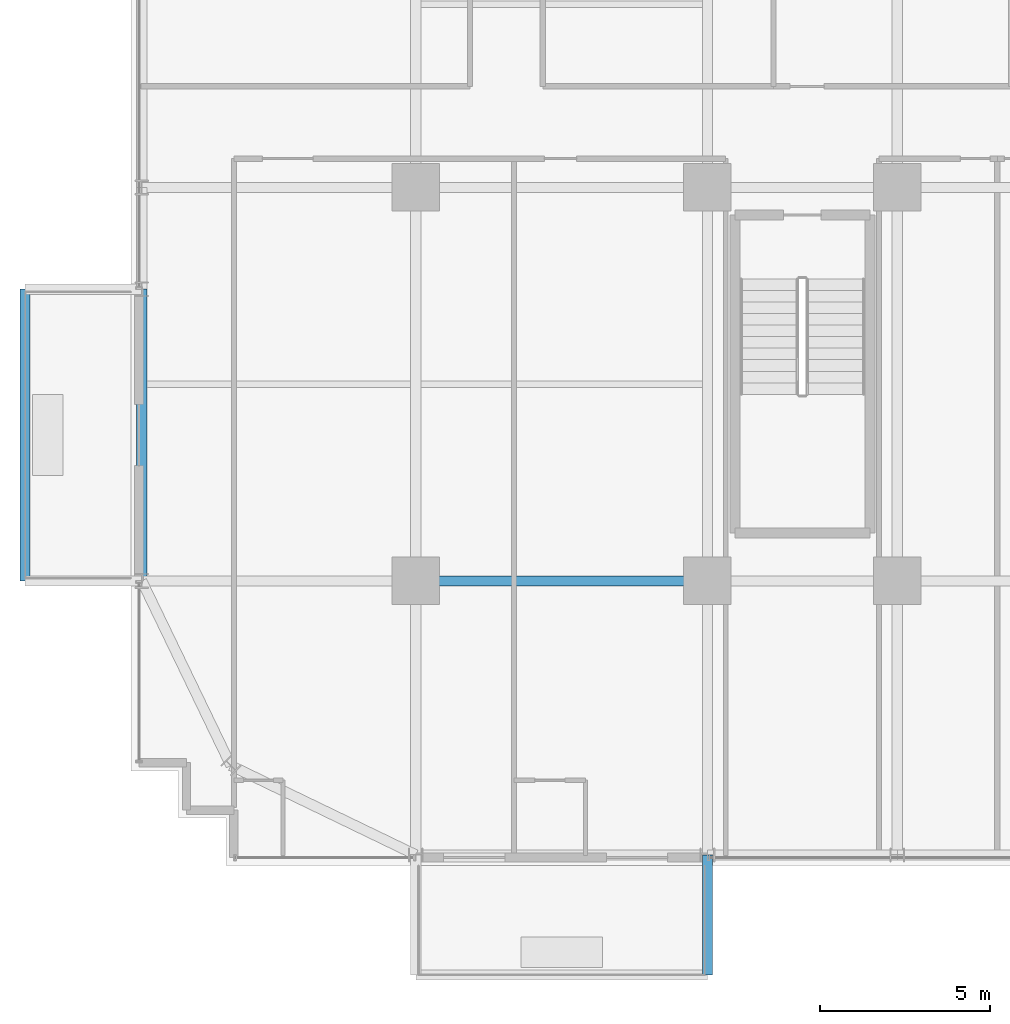
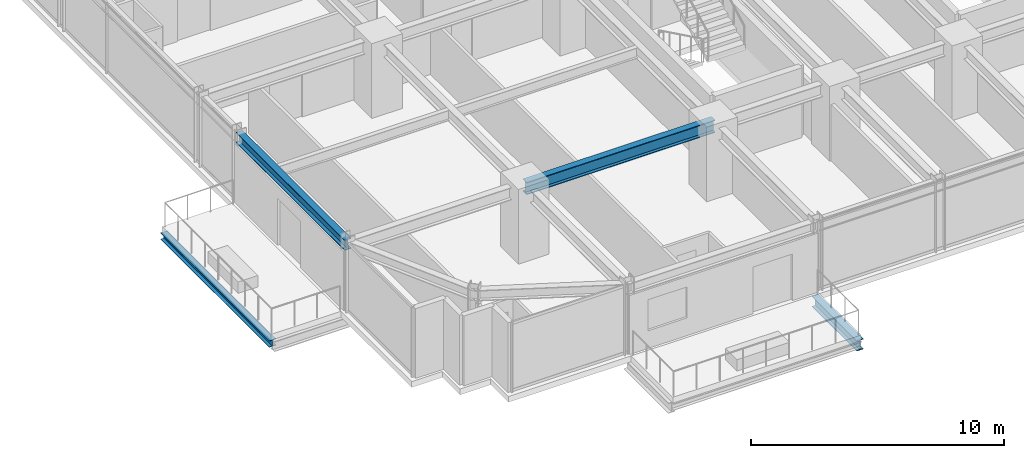
# One storey, part 6 of 37: 4 beams.
"""IFC4 building model written with IfcOpenShell, lengths in metres."""

from ifc_helpers import new_model, si_unit, direction, frame, origin, origin_2d, place, context, subcontext, project, spatial, i_section, extrude, source, transform, mapped, material, material_profile, profile_set, type_object, element, save


model = new_model("IFC4")

# Units and contexts
model_context = context("Model", 3, precision=1e-05, world=origin(), true_north=direction((0.0, 1.0)))
body_context = subcontext(model_context, "Body", "Model", "MODEL_VIEW")
ifc_project = project(units=[si_unit("LENGTHUNIT", "METRE"), si_unit("AREAUNIT", "SQUARE_METRE"), si_unit("VOLUMEUNIT", "CUBIC_METRE"), si_unit("PLANEANGLEUNIT", "RADIAN"), si_unit("MASSUNIT", "GRAM", prefix="KILO")], contexts=[model_context])

# Site, building, storey
site_placement = place(None, origin())
site = spatial("IfcSite", under=ifc_project, at=site_placement, CompositionType="ELEMENT")
building_placement = place(site_placement, origin())
building = spatial("IfcBuilding", under=site, at=building_placement, Name="Nahalor Promenade Grand Hotel", CompositionType="ELEMENT")
storey_placement = place(building_placement, frame((0.0, 0.0, 36.050048828125)))
storey = spatial("IfcBuildingStorey", under=building, at=storey_placement, Name="L07", CompositionType="ELEMENT", Elevation=36.050048828125)

# Beams
ifc_material = material(Name="Steel S355JR", Category="steel")
ifc_material_profile_1 = material_profile(ifc_material, i_section(OverallWidth=0.3, OverallDepth=0.32, WebThickness=0.0115, FlangeThickness=0.0205, at=origin_2d()), Name="HEB 320")
ifc_profile_set_1 = profile_set([ifc_material_profile_1], Name="Steel S355JR")
beam_type_1 = type_object("IfcBeamType", Name="Beam-BalcEdge-HEB320", PredefinedType="SPANDREL", material=ifc_profile_set_1)
shared_shape_1 = source(origin(), body_context, "Body", "SweptSolid", [
    extrude(i_section(OverallWidth=0.3, OverallDepth=0.32, WebThickness=0.0115, FlangeThickness=0.0205, at=origin_2d()), origin(), (0.0, 0.0, 1.0), 8.60009765625),
])
beam_1_placement = place(storey_placement, frame((-28.52001953125, -17.0, -0.43994140625), z_axis=(0.0, 1.0, 0.0), x_axis=(-1.0, 0.0, 0.0)))
element("IfcBeam", 1, at=beam_1_placement, inside=storey, type_object=beam_type_1, Name="BM-L07-BC-02-F", PredefinedType="SPANDREL", context=body_context, shape_type="MappedRepresentation", body=[
    mapped(shared_shape_1, transform((0.0, 0.0, 0.0), scale=1.0)),
])
ifc_material_profile_2 = material_profile(ifc_material, i_section(OverallWidth=0.3, OverallDepth=0.5, WebThickness=0.0145, FlangeThickness=0.028, at=origin_2d()), Name="HEB 500")
ifc_profile_set_2 = profile_set([ifc_material_profile_2], Name="Steel S355JR")
beam_type_2 = type_object("IfcBeamType", Name="Beam-Outrigger-HEB500", PredefinedType="BEAM", material=ifc_profile_set_2)
shared_shape_2 = source(origin(), body_context, "Body", "SweptSolid", [
    extrude(i_section(OverallWidth=0.3, OverallDepth=0.5, WebThickness=0.0145, FlangeThickness=0.028, at=origin_2d()), origin(), (0.0, 0.0, 1.0), 3.5400390625),
])
beam_2_placement = place(storey_placement, frame((-8.39990234375, -28.6201171875, -0.530029296875), z_axis=(0.0, 1.0, 0.0), x_axis=(-1.0, 0.0, 0.0)))
element("IfcBeam", 2, at=beam_2_placement, inside=storey, type_object=beam_type_2, Name="BM-L07-BC-01-2", PredefinedType="BEAM", context=body_context, shape_type="MappedRepresentation", body=[
    mapped(shared_shape_2, transform((0.0, 0.0, 0.0), scale=1.0)),
])
ifc_material_profile_3 = material_profile(ifc_material, i_section(OverallWidth=0.3, OverallDepth=0.6, WebThickness=0.0155, FlangeThickness=0.03, at=origin_2d()), Name="HEB 600")
ifc_profile_set_3 = profile_set([ifc_material_profile_3], Name="Steel S355JR")
beam_type_3 = type_object("IfcBeamType", Name="Beam-Girder-HEB600", PredefinedType="BEAM", material=ifc_profile_set_3)
shared_shape_3 = source(origin(), body_context, "Body", "SweptSolid", [
    extrude(i_section(OverallWidth=0.3, OverallDepth=0.6, WebThickness=0.0155, FlangeThickness=0.03, at=origin_2d()), origin(), (0.0, 0.0, 1.0), 8.60009765625),
])
beam_3_placement = place(storey_placement, frame((-17.0, -17.0, 3.070068359375), z_axis=(1.0, 0.0, 0.0), x_axis=(0.0, 1.0, 0.0)))
element("IfcBeam", 3, at=beam_3_placement, inside=storey, type_object=beam_type_3, Name="BM-L07-GX-0-1", PredefinedType="BEAM", context=body_context, shape_type="MappedRepresentation", body=[
    mapped(shared_shape_3, transform((0.0, 0.0, 0.0), scale=1.0)),
])
ifc_material_profile_4 = material_profile(ifc_material, i_section(OverallWidth=0.3, OverallDepth=0.5, WebThickness=0.0145, FlangeThickness=0.028, at=origin_2d()), Name="HEB 500")
ifc_profile_set_4 = profile_set([ifc_material_profile_4], Name="Steel S355JR")
beam_type_4 = type_object("IfcBeamType", Name="Beam-Spandrel-HEB500", PredefinedType="SPANDREL", material=ifc_profile_set_4)
shared_shape_4 = source(origin(), body_context, "Body", "SweptSolid", [
    extrude(i_section(OverallWidth=0.3, OverallDepth=0.5, WebThickness=0.0145, FlangeThickness=0.028, at=origin_2d()), origin(), (0.0, 0.0, 1.0), 8.60009765625),
])
beam_4_placement = place(storey_placement, frame((-25.080078125, -17.0, 3.119873046875), z_axis=(0.0, 1.0, 0.0), x_axis=(-1.0, 0.0, 0.0)))
element("IfcBeam", 4, at=beam_4_placement, inside=storey, type_object=beam_type_4, Name="BM-L07-SP-W-0", PredefinedType="SPANDREL", context=body_context, shape_type="MappedRepresentation", body=[
    mapped(shared_shape_4, transform((0.0, 0.0, 0.0), scale=1.0)),
])

save(model, "model.ifc")
